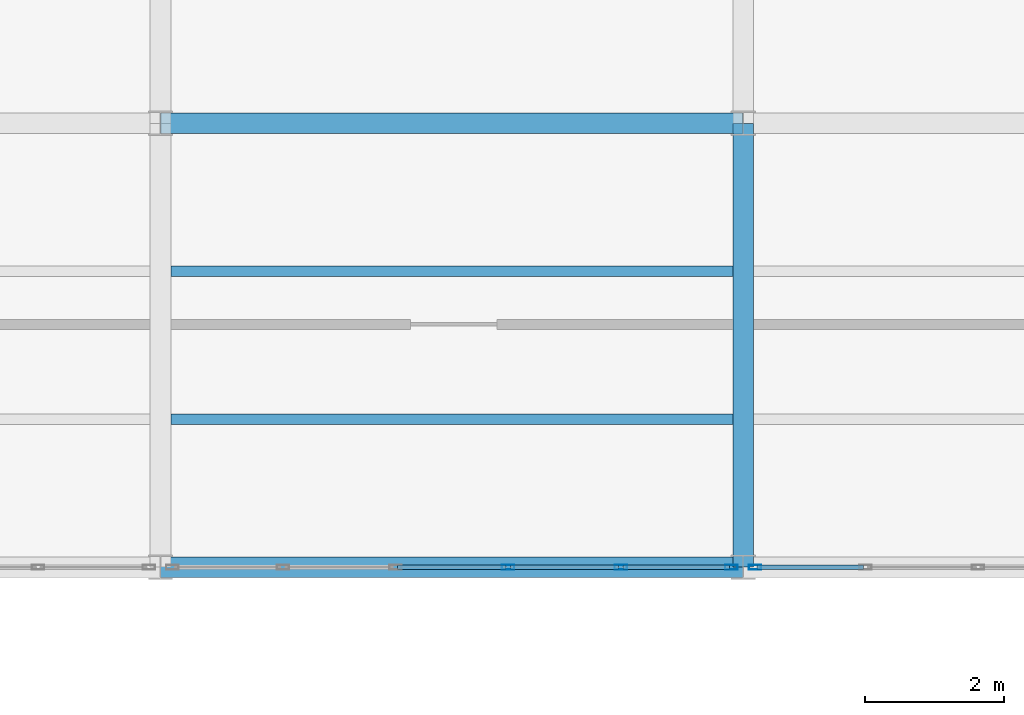
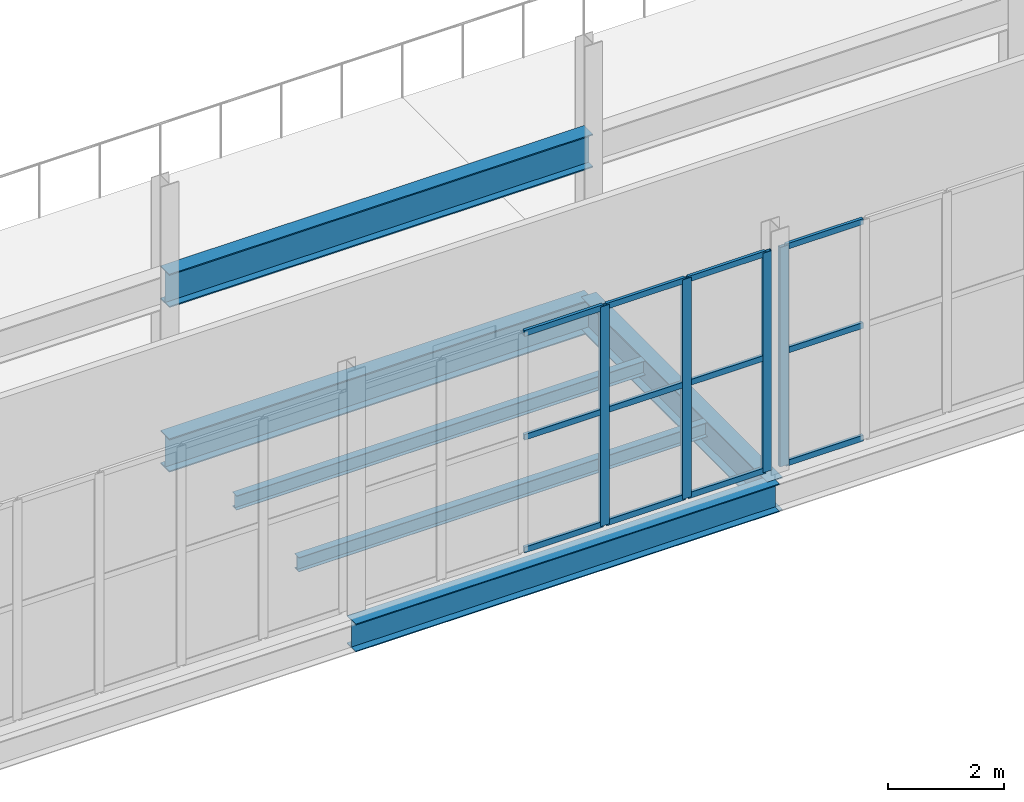
# One storey, part 63 of 218: 16 members, 6 beams, 2 elements without a shape of their own.
"""IFC4 building model written with IfcOpenShell, lengths in metres."""

from ifc_helpers import new_model, si_unit, direction, frame, origin, origin_2d, place, context, subcontext, project, spatial, hollow_rectangle, i_section, extrude, material, material_profile, profile_set, type_object, element, aggregate, save


model = new_model("IFC4")

# Units and contexts
model_context = context("Model", 3, precision=1e-05, world=origin(), true_north=direction((0.0, 1.0)))
body_context = subcontext(model_context, "Body", "Model", "MODEL_VIEW")
ifc_project = project(units=[si_unit("LENGTHUNIT", "METRE"), si_unit("AREAUNIT", "SQUARE_METRE"), si_unit("VOLUMEUNIT", "CUBIC_METRE"), si_unit("PLANEANGLEUNIT", "RADIAN"), si_unit("MASSUNIT", "GRAM", prefix="KILO")], contexts=[model_context])

# Site, building, storey
site_placement = place(None, origin())
site = spatial("IfcSite", under=ifc_project, at=site_placement, CompositionType="ELEMENT")
building_placement = place(site_placement, origin())
building = spatial("IfcBuilding", under=site, at=building_placement, Name="Kazenagashi Tramway Depot", CompositionType="ELEMENT")
storey_placement = place(building_placement, frame((0.0, 0.0, 6.0)))
storey = spatial("IfcBuildingStorey", under=building, at=storey_placement, Name="L02", CompositionType="ELEMENT", Elevation=6.0)

# Beams
ifc_material_1 = material(Name="Steel SN490B", Category="steel")
ifc_material_profile_1 = material_profile(ifc_material_1, i_section(OverallWidth=0.3, OverallDepth=0.7, WebThickness=0.013, FlangeThickness=0.024, at=origin_2d()), Name="H-700x300x13x24")
ifc_profile_set_1 = profile_set([ifc_material_profile_1], Name="Steel SN490B")
beam_type_1 = type_object("IfcBeamType", Name="G-02", PredefinedType="BEAM", material=ifc_profile_set_1)
beam_1_placement = place(storey_placement, frame((70.0, 22.9, -0.6), z_axis=(1.0, 0.0, 0.0), x_axis=(0.0, 1.0, 0.0)))
element("IfcBeam", 1, at=beam_1_placement, inside=storey, type_object=beam_type_1, Name="Beam G-02 BM-1009", PredefinedType="BEAM", context=body_context, shape_type="SweptSolid", body=[
    extrude(i_section(OverallWidth=0.3, OverallDepth=0.7, WebThickness=0.013, FlangeThickness=0.024, at=origin_2d()), origin(), (0.0, 0.0, 1.0), 8.4),
])
beam_2_placement = place(storey_placement, frame((78.4, 16.5, -0.6), z_axis=(0.0, 1.0, 0.0), x_axis=(-1.0, 0.0, 0.0)))
element("IfcBeam", 2, at=beam_2_placement, inside=storey, type_object=beam_type_1, Name="Beam G-02 BM-1053", PredefinedType="BEAM", context=body_context, shape_type="SweptSolid", body=[
    extrude(i_section(OverallWidth=0.3, OverallDepth=0.7, WebThickness=0.013, FlangeThickness=0.024, at=origin_2d()), origin(), (0.0, 0.0, 1.0), 6.4),
])
beam_3_placement = place(storey_placement, frame((70.0, 22.9, 2.85), z_axis=(1.0, 0.0, 0.0), x_axis=(0.0, 1.0, 0.0)))
element("IfcBeam", 3, at=beam_3_placement, inside=storey, type_object=beam_type_1, Name="Beam G-02 BM-1152", PredefinedType="BEAM", context=body_context, shape_type="SweptSolid", body=[
    extrude(i_section(OverallWidth=0.3, OverallDepth=0.7, WebThickness=0.013, FlangeThickness=0.024, at=origin_2d()), origin(), (0.0, 0.0, 1.0), 8.4),
])
ifc_material_2 = material(Name="Steel SN400B", Category="steel")
ifc_material_profile_2 = material_profile(ifc_material_2, i_section(OverallWidth=0.15, OverallDepth=0.3, WebThickness=0.0065, FlangeThickness=0.009, at=origin_2d()), Name="H-300x150x6.5x9")
ifc_profile_set_2 = profile_set([ifc_material_profile_2], Name="Steel SN400B")
beam_type_2 = type_object("IfcBeamType", Name="J-02", PredefinedType="JOIST", material=ifc_profile_set_2)
for number, where, z_axis, x_axis, name in (
    (4, (70.15, 18.633, -0.4), (1.0, 0.0, 0.0), (0.0, 1.0, 0.0), "Beam J-02 BM-1048"),
    (5, (70.15, 20.767, -0.4), (1.0, 0.0, 0.0), (0.0, 1.0, 0.0), "Beam J-02 BM-1049"),
):
    element("IfcBeam", number, at=place(storey_placement, frame(where, z_axis=z_axis, x_axis=x_axis)), inside=storey, type_object=beam_type_2, Name=name, PredefinedType="JOIST", context=body_context, shape_type="SweptSolid", body=[
        extrude(i_section(OverallWidth=0.15, OverallDepth=0.3, WebThickness=0.0065, FlangeThickness=0.009, at=origin_2d()), origin(), (0.0, 0.0, 1.0), 8.1),
    ])

# Curtain wall, members
ifc_material_3 = material(Name="Anodised Aluminium and Low-E Glazing", Category="aluminium")
curtain_wall_type = type_object("IfcCurtainWallType", Name="CW-20", PredefinedType="USERDEFINED", material=ifc_material_3)
curtain_wall_1_placement = place(storey_placement, origin())
curtain_wall_1 = element("IfcCurtainWall", 6, at=curtain_wall_1_placement, inside=storey, type_object=curtain_wall_type, Name="Industrial Glazed Screen CW-20 CW-0098", ObjectType="GLAZED SCREEN", PredefinedType="USERDEFINED")
ifc_material_4 = material(Name="Anodised Aluminium", Category="aluminium")
ifc_material_profile_3 = material_profile(ifc_material_4, hollow_rectangle(XDim=0.07, YDim=0.18, WallThickness=0.005, at=origin_2d()), Name="RHS-180x70x5")
ifc_profile_set_3 = profile_set([ifc_material_profile_3], Name="Anodised Aluminium")
member_type_1 = type_object("IfcMemberType", Name="ML-02", PredefinedType="MULLION", material=ifc_profile_set_3)
member_1_placement = place(storey_placement, frame((75.012, 16.5, 0.0), z_axis=(0.0, 0.0, 1.0), x_axis=(0.0, 1.0, 0.0)))
member_1 = element("IfcMember", 7, at=member_1_placement, type_object=member_type_1, Name="CW-20 mullion 4", PredefinedType="MULLION", context=body_context, shape_type="SweptSolid", body=[
    extrude(hollow_rectangle(XDim=0.07, YDim=0.18, WallThickness=0.005, at=origin_2d()), origin(), (0.0, 0.0, 1.0), 4.6),
])
member_2_placement = place(storey_placement, frame((76.636, 16.5, 0.0), z_axis=(0.0, 0.0, 1.0), x_axis=(0.0, 1.0, 0.0)))
member_2 = element("IfcMember", 8, at=member_2_placement, type_object=member_type_1, Name="CW-20 mullion 5", PredefinedType="MULLION", context=body_context, shape_type="SweptSolid", body=[
    extrude(hollow_rectangle(XDim=0.07, YDim=0.18, WallThickness=0.005, at=origin_2d()), origin(), (0.0, 0.0, 1.0), 4.6),
])
member_3_placement = place(storey_placement, frame((78.23, 16.5, 0.0), z_axis=(0.0, 0.0, 1.0), x_axis=(0.0, 1.0, 0.0)))
member_3 = element("IfcMember", 9, at=member_3_placement, type_object=member_type_1, Name="CW-20 mullion 6", PredefinedType="MULLION", context=body_context, shape_type="SweptSolid", body=[
    extrude(hollow_rectangle(XDim=0.07, YDim=0.18, WallThickness=0.005, at=origin_2d()), origin(), (0.0, 0.0, 1.0), 4.6),
])

# Curtain wall, member
curtain_wall_2_placement = place(storey_placement, origin())
curtain_wall_2 = element("IfcCurtainWall", 10, at=curtain_wall_2_placement, inside=storey, type_object=curtain_wall_type, Name="Industrial Glazed Screen CW-20 CW-0099", ObjectType="GLAZED SCREEN", PredefinedType="USERDEFINED")
member_4_placement = place(storey_placement, frame((78.57, 16.5, 0.0), z_axis=(0.0, 0.0, 1.0), x_axis=(0.0, 1.0, 0.0)))
member_4 = element("IfcMember", 11, at=member_4_placement, type_object=member_type_1, Name="CW-20 mullion 1", PredefinedType="MULLION", context=body_context, shape_type="SweptSolid", body=[
    extrude(hollow_rectangle(XDim=0.07, YDim=0.18, WallThickness=0.005, at=origin_2d()), origin(), (0.0, 0.0, 1.0), 4.6),
])

# Beam
ifc_material_profile_4 = material_profile(ifc_material_1, i_section(OverallWidth=0.3, OverallDepth=0.588, WebThickness=0.012, FlangeThickness=0.02, at=origin_2d()), Name="H-588x300x12x20")
ifc_profile_set_4 = profile_set([ifc_material_profile_4], Name="Steel SN490B")
beam_type_3 = type_object("IfcBeamType", Name="SP-01", PredefinedType="SPANDREL", material=ifc_profile_set_4)
beam_4_placement = place(storey_placement, frame((70.0, 16.5, -0.544), z_axis=(1.0, 0.0, 0.0), x_axis=(0.0, 1.0, 0.0)))
element("IfcBeam", 12, at=beam_4_placement, inside=storey, type_object=beam_type_3, Name="Beam SP-01 BM-0997", PredefinedType="SPANDREL", context=body_context, shape_type="SweptSolid", body=[
    extrude(i_section(OverallWidth=0.3, OverallDepth=0.588, WebThickness=0.012, FlangeThickness=0.02, at=origin_2d()), origin(), (0.0, 0.0, 1.0), 8.4),
])

# Member
ifc_material_profile_5 = material_profile(ifc_material_4, hollow_rectangle(XDim=0.06, YDim=0.12, WallThickness=0.004, at=origin_2d()), Name="RHS-120x60x4")
ifc_profile_set_5 = profile_set([ifc_material_profile_5], Name="Anodised Aluminium")
member_type_2 = type_object("IfcMemberType", Name="TR-01", PredefinedType="USERDEFINED", material=ifc_profile_set_5)
member_5_placement = place(storey_placement, frame((73.418, 16.5, 0.03), z_axis=(1.0, 0.0, 0.0), x_axis=(0.0, 1.0, 0.0)))
member_5 = element("IfcMember", 13, at=member_5_placement, type_object=member_type_2, Name="CW-20 transom 3.1", ObjectType="TRANSOM", PredefinedType="USERDEFINED", context=body_context, shape_type="SweptSolid", body=[
    extrude(hollow_rectangle(XDim=0.06, YDim=0.12, WallThickness=0.004, at=origin_2d()), origin(), (0.0, 0.0, 1.0), 1.564),
])

member_6_placement = place(storey_placement, frame((73.418, 16.5, 2.392), z_axis=(1.0, 0.0, 0.0), x_axis=(0.0, 1.0, 0.0)))
member_6 = element("IfcMember", 14, at=member_6_placement, type_object=member_type_2, Name="CW-20 transom 3.2", ObjectType="TRANSOM", PredefinedType="USERDEFINED", context=body_context, shape_type="SweptSolid", body=[
    extrude(hollow_rectangle(XDim=0.06, YDim=0.12, WallThickness=0.004, at=origin_2d()), origin(), (0.0, 0.0, 1.0), 1.564),
])

member_7_placement = place(storey_placement, frame((73.418, 16.5, 4.57), z_axis=(1.0, 0.0, 0.0), x_axis=(0.0, 1.0, 0.0)))
member_7 = element("IfcMember", 15, at=member_7_placement, type_object=member_type_2, Name="CW-20 transom 3.3", ObjectType="TRANSOM", PredefinedType="USERDEFINED", context=body_context, shape_type="SweptSolid", body=[
    extrude(hollow_rectangle(XDim=0.06, YDim=0.12, WallThickness=0.004, at=origin_2d()), origin(), (0.0, 0.0, 1.0), 1.564),
])

member_8_placement = place(storey_placement, frame((75.042, 16.5, 0.03), z_axis=(1.0, 0.0, 0.0), x_axis=(0.0, 1.0, 0.0)))
member_8 = element("IfcMember", 16, at=member_8_placement, type_object=member_type_2, Name="CW-20 transom 4.1", ObjectType="TRANSOM", PredefinedType="USERDEFINED", context=body_context, shape_type="SweptSolid", body=[
    extrude(hollow_rectangle(XDim=0.06, YDim=0.12, WallThickness=0.004, at=origin_2d()), origin(), (0.0, 0.0, 1.0), 1.564),
])

member_9_placement = place(storey_placement, frame((75.042, 16.5, 2.392), z_axis=(1.0, 0.0, 0.0), x_axis=(0.0, 1.0, 0.0)))
member_9 = element("IfcMember", 17, at=member_9_placement, type_object=member_type_2, Name="CW-20 transom 4.2", ObjectType="TRANSOM", PredefinedType="USERDEFINED", context=body_context, shape_type="SweptSolid", body=[
    extrude(hollow_rectangle(XDim=0.06, YDim=0.12, WallThickness=0.004, at=origin_2d()), origin(), (0.0, 0.0, 1.0), 1.564),
])

member_10_placement = place(storey_placement, frame((75.042, 16.5, 4.57), z_axis=(1.0, 0.0, 0.0), x_axis=(0.0, 1.0, 0.0)))
member_10 = element("IfcMember", 18, at=member_10_placement, type_object=member_type_2, Name="CW-20 transom 4.3", ObjectType="TRANSOM", PredefinedType="USERDEFINED", context=body_context, shape_type="SweptSolid", body=[
    extrude(hollow_rectangle(XDim=0.06, YDim=0.12, WallThickness=0.004, at=origin_2d()), origin(), (0.0, 0.0, 1.0), 1.564),
])

member_11_placement = place(storey_placement, frame((76.666, 16.5, 0.03), z_axis=(1.0, 0.0, 0.0), x_axis=(0.0, 1.0, 0.0)))
member_11 = element("IfcMember", 19, at=member_11_placement, type_object=member_type_2, Name="CW-20 transom 5.1", ObjectType="TRANSOM", PredefinedType="USERDEFINED", context=body_context, shape_type="SweptSolid", body=[
    extrude(hollow_rectangle(XDim=0.06, YDim=0.12, WallThickness=0.004, at=origin_2d()), origin(), (0.0, 0.0, 1.0), 1.534),
])

member_12_placement = place(storey_placement, frame((76.666, 16.5, 2.392), z_axis=(1.0, 0.0, 0.0), x_axis=(0.0, 1.0, 0.0)))
member_12 = element("IfcMember", 20, at=member_12_placement, type_object=member_type_2, Name="CW-20 transom 5.2", ObjectType="TRANSOM", PredefinedType="USERDEFINED", context=body_context, shape_type="SweptSolid", body=[
    extrude(hollow_rectangle(XDim=0.06, YDim=0.12, WallThickness=0.004, at=origin_2d()), origin(), (0.0, 0.0, 1.0), 1.534),
])

member_13_placement = place(storey_placement, frame((76.666, 16.5, 4.57), z_axis=(1.0, 0.0, 0.0), x_axis=(0.0, 1.0, 0.0)))
member_13 = element("IfcMember", 21, at=member_13_placement, type_object=member_type_2, Name="CW-20 transom 5.3", ObjectType="TRANSOM", PredefinedType="USERDEFINED", context=body_context, shape_type="SweptSolid", body=[
    extrude(hollow_rectangle(XDim=0.06, YDim=0.12, WallThickness=0.004, at=origin_2d()), origin(), (0.0, 0.0, 1.0), 1.534),
])

aggregate(curtain_wall_1, [member_1, member_2, member_3, member_5, member_6, member_7, member_8, member_9, member_10, member_11, member_12, member_13])

member_14_placement = place(storey_placement, frame((78.6, 16.5, 0.03), z_axis=(1.0, 0.0, 0.0), x_axis=(0.0, 1.0, 0.0)))
member_14 = element("IfcMember", 22, at=member_14_placement, type_object=member_type_2, Name="CW-20 transom 1.1", ObjectType="TRANSOM", PredefinedType="USERDEFINED", context=body_context, shape_type="SweptSolid", body=[
    extrude(hollow_rectangle(XDim=0.06, YDim=0.12, WallThickness=0.004, at=origin_2d()), origin(), (0.0, 0.0, 1.0), 1.534),
])

member_15_placement = place(storey_placement, frame((78.6, 16.5, 2.392), z_axis=(1.0, 0.0, 0.0), x_axis=(0.0, 1.0, 0.0)))
member_15 = element("IfcMember", 23, at=member_15_placement, type_object=member_type_2, Name="CW-20 transom 1.2", ObjectType="TRANSOM", PredefinedType="USERDEFINED", context=body_context, shape_type="SweptSolid", body=[
    extrude(hollow_rectangle(XDim=0.06, YDim=0.12, WallThickness=0.004, at=origin_2d()), origin(), (0.0, 0.0, 1.0), 1.534),
])

member_16_placement = place(storey_placement, frame((78.6, 16.5, 4.57), z_axis=(1.0, 0.0, 0.0), x_axis=(0.0, 1.0, 0.0)))
member_16 = element("IfcMember", 24, at=member_16_placement, type_object=member_type_2, Name="CW-20 transom 1.3", ObjectType="TRANSOM", PredefinedType="USERDEFINED", context=body_context, shape_type="SweptSolid", body=[
    extrude(hollow_rectangle(XDim=0.06, YDim=0.12, WallThickness=0.004, at=origin_2d()), origin(), (0.0, 0.0, 1.0), 1.534),
])

aggregate(curtain_wall_2, [member_4, member_14, member_15, member_16])

save(model, "model.ifc")
